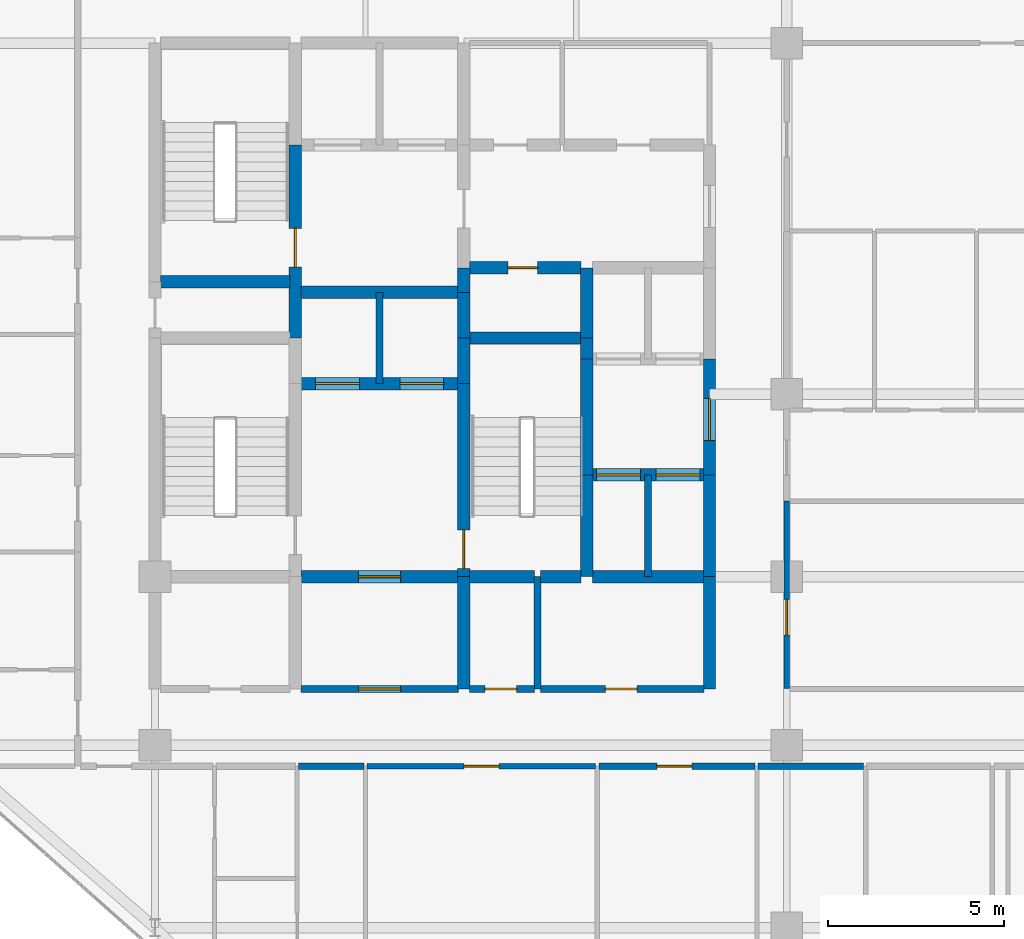
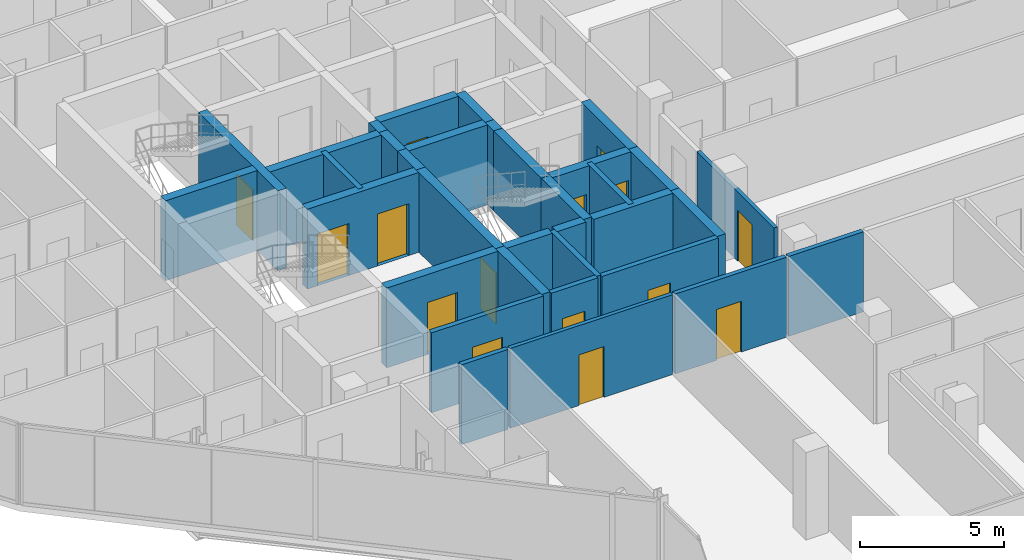
# One storey, part 26 of 31: 34 walls, 15 doors, 15 openings.
"""IFC4 building model written with IfcOpenShell, lengths in metres."""

from ifc_helpers import new_model, si_unit, direction, frame, frame_2d, origin, place, context, subcontext, project, spatial, rectangle, extrude, material, layer, layer_set, type_object, element, fill, save


model = new_model("IFC4")

# Units and contexts
model_context = context("Model", 3, precision=1e-05, world=origin(), true_north=direction((0.0, 1.0)))
body_context = subcontext(model_context, "Body", "Model", "MODEL_VIEW")
ifc_project = project(units=[si_unit("LENGTHUNIT", "METRE"), si_unit("AREAUNIT", "SQUARE_METRE"), si_unit("VOLUMEUNIT", "CUBIC_METRE"), si_unit("PLANEANGLEUNIT", "RADIAN"), si_unit("MASSUNIT", "GRAM", prefix="KILO")], contexts=[model_context])

# Site, building, storey
site_placement = place(None, origin())
site = spatial("IfcSite", under=ifc_project, at=site_placement, CompositionType="ELEMENT")
building_placement = place(site_placement, origin())
building = spatial("IfcBuilding", under=site, at=building_placement, Name="Keshet Zoharim Tower", CompositionType="ELEMENT")
storey_placement = place(building_placement, frame((0.0, 0.0, 129.800048828125)))
storey = spatial("IfcBuildingStorey", under=building, at=storey_placement, Name="L31", CompositionType="ELEMENT", Elevation=129.800048828125)

# Wall, opening, door
ifc_material_1 = material(Name="Gypsum Plasterboard", Category="gypsum")
ifc_layer_1 = layer(ifc_material_1, 0.14990234375)
ifc_layer_set_1 = layer_set([ifc_layer_1], Name="Gypsum Plasterboard")
wall_type_1 = type_object("IfcWallType", Name="WL-CLIN-150", PredefinedType="STANDARD", material=ifc_layer_set_1)
wall_1_placement = place(storey_placement, frame((33.0, 19.510009765625, 0.0), z_axis=(0.0, 0.0, 1.0), x_axis=(0.0, 1.0, 0.0)))
wall_1 = element("IfcWall", 1, at=wall_1_placement, inside=storey, type_object=wall_type_1, Name="L31 Interior Wall 067", PredefinedType="STANDARD", context=body_context, shape_type="SweptSolid", body=[
    extrude(rectangle(XDim=5.35009765625, YDim=0.14990234375, at=frame_2d((2.675048828125, 0.0))), origin(), (0.0, 0.0, 1.0), 2.93505859375),
])
opening_1_placement = place(wall_1_placement, frame((1.533935546875, 0.0, 0.0)))
opening_1 = element("IfcOpeningElement", 2, at=opening_1_placement, cuts=wall_1, Name="Opening D-F310", PredefinedType="OPENING", context=body_context, shape_type="SweptSolid", body=[
    extrude(rectangle(XDim=1.0, YDim=2.14990234375, at=frame_2d((0.5, 1.074951171875))), frame((0.0, 0.0849609375, 0.0), z_axis=(0.0, -1.0, 0.0), x_axis=(1.0, 0.0, 0.0)), (0.0, 0.0, 1.0), 0.169921875),
])
ifc_material_2 = material(Name="Hardwood Timber", Category="wood")
door_type_1 = type_object("IfcDoorType", Name="DR-FD30-100", OperationType="NOTDEFINED", PredefinedType="DOOR", material=ifc_material_2)
door_1_placement = place(opening_1_placement, origin())
door_1 = element("IfcDoor", 3, at=door_1_placement, inside=storey, type_object=door_type_1, Name="L31 South East Residents Services Suite Door 2", OperationType="SINGLE_SWING_LEFT", OverallHeight=2.14990234375, OverallWidth=1.0, PredefinedType="DOOR", context=body_context, shape_type="SweptSolid", body=[
    extrude(rectangle(XDim=1.0, YDim=2.14990234375, at=frame_2d((0.5, 1.074951171875))), frame((0.0, 0.02490234375, 0.0), z_axis=(0.0, -1.0, 0.0), x_axis=(1.0, 0.0, 0.0)), (0.0, 0.0, 1.0), 0.050048828125),
])
fill(opening_1, door_1)

wall_2_placement = place(storey_placement, frame((21.044921875, 17.300048828125, 0.0), z_axis=(0.0, 0.0, 1.0), x_axis=(1.0, 0.0, 0.0)))
wall_2 = element("IfcWall", 4, at=wall_2_placement, inside=storey, type_object=wall_type_1, Name="L31 Interior Wall 125", PredefinedType="STANDARD", context=body_context, shape_type="SweptSolid", body=[
    extrude(rectangle(XDim=6.510009765625, YDim=0.14990234375, at=frame_2d((3.2548828125, 0.0))), origin(), (0.0, 0.0, 1.0), 3.385009765625),
])
opening_2_placement = place(wall_2_placement, frame((2.7548828125, 0.0, 0.0)))
opening_2 = element("IfcOpeningElement", 5, at=opening_2_placement, cuts=wall_2, Name="Opening D-F310", PredefinedType="OPENING", context=body_context, shape_type="SweptSolid", body=[
    extrude(rectangle(XDim=1.0, YDim=2.14990234375, at=frame_2d((0.5, 1.074951171875))), frame((0.0, 0.0849609375, 0.0), z_axis=(0.0, -1.0, 0.0), x_axis=(1.0, 0.0, 0.0)), (0.0, 0.0, 1.0), 0.169921875),
])
door_2_placement = place(opening_2_placement, origin())
door_2 = element("IfcDoor", 6, at=door_2_placement, inside=storey, type_object=door_type_1, Name="L31 Floor Children Playroom Door", OperationType="SINGLE_SWING_RIGHT", OverallHeight=2.14990234375, OverallWidth=1.0, PredefinedType="DOOR", context=body_context, shape_type="SweptSolid", body=[
    extrude(rectangle(XDim=1.0, YDim=2.14990234375, at=frame_2d((0.5, 1.074951171875))), frame((0.0, 0.02490234375, 0.0), z_axis=(0.0, -1.0, 0.0), x_axis=(1.0, 0.0, 0.0)), (0.0, 0.0, 1.0), 0.050048828125),
])
fill(opening_2, door_2)

ifc_material_3 = material(Name="Concrete C60/75", Category="concrete")
ifc_layer_2 = layer(ifc_material_3, 0.35009765625)
ifc_layer_set_2 = layer_set([ifc_layer_2], Name="Concrete C60/75")
wall_type_2 = type_object("IfcWallType", Name="WL-CORE-350", PredefinedType="SHEAR", material=ifc_layer_set_2)
wall_3_placement = place(storey_placement, frame((19.0, 29.5, 0.0), z_axis=(0.0, 0.0, 1.0), x_axis=(0.0, 1.0, 0.0)))
wall_3 = element("IfcWall", 7, at=wall_3_placement, inside=storey, type_object=wall_type_2, Name="L31 Core Shear Wall 026", PredefinedType="SHEAR", context=body_context, shape_type="SweptSolid", body=[
    extrude(rectangle(XDim=5.5, YDim=0.35009765625, at=frame_2d((2.75, 0.0))), origin(), (0.0, 0.0, 1.0), 3.385009765625),
])
opening_3_placement = place(wall_3_placement, frame((2.02490234375, 0.0, 0.0)))
opening_3 = element("IfcOpeningElement", 8, at=opening_3_placement, cuts=wall_3, Name="Opening D-F611", PredefinedType="OPENING", context=body_context, shape_type="SweptSolid", body=[
    extrude(rectangle(XDim=1.10009765625, YDim=2.14990234375, at=frame_2d((0.550048828125, 1.074951171875))), frame((0.0, 0.18505859375, 0.0), z_axis=(0.0, -1.0, 0.0), x_axis=(1.0, 0.0, 0.0)), (0.0, 0.0, 1.0), 0.3701171875),
])
door_type_2 = type_object("IfcDoorType", Name="DR-FD60-110", OperationType="NOTDEFINED", PredefinedType="DOOR", material=ifc_material_2)
door_3_placement = place(opening_3_placement, origin())
door_3 = element("IfcDoor", 9, at=door_3_placement, inside=storey, type_object=door_type_2, Name="L31 Exit Stair ST-02 Fire Door", OperationType="SINGLE_SWING_LEFT", OverallHeight=2.14990234375, OverallWidth=1.10009765625, PredefinedType="DOOR", context=body_context, shape_type="SweptSolid", body=[
    extrude(rectangle(XDim=1.10009765625, YDim=2.14990234375, at=frame_2d((0.550048828125, 1.074951171875))), frame((0.0, 0.02490234375, 0.0), z_axis=(0.0, -1.0, 0.0), x_axis=(1.0, 0.0, 0.0)), (0.0, 0.0, 1.0), 0.050048828125),
])
fill(opening_3, door_3)

# Wall
wall_4_placement = place(storey_placement, frame((23.800048828125, 19.5, 0.0), z_axis=(0.0, 0.0, 1.0), x_axis=(0.0, 1.0, 0.0)))
element("IfcWall", 10, at=wall_4_placement, inside=storey, type_object=wall_type_2, Name="L31 Core Shear Wall 037", PredefinedType="SHEAR", context=body_context, shape_type="SweptSolid", body=[
    extrude(rectangle(XDim=3.199951171875, YDim=0.35009765625, at=frame_2d((1.60009765625, 0.0))), origin(), (0.0, 0.0, 1.0), 3.385009765625),
])

# Wall, opening, door
wall_5_placement = place(storey_placement, frame((23.800048828125, 22.699951171875, 0.0), z_axis=(0.0, 0.0, 1.0), x_axis=(0.0, 1.0, 0.0)))
wall_5 = element("IfcWall", 11, at=wall_5_placement, inside=storey, type_object=wall_type_2, Name="L31 Core Shear Wall 038", PredefinedType="SHEAR", context=body_context, shape_type="SweptSolid", body=[
    extrude(rectangle(XDim=5.5, YDim=0.35009765625, at=frame_2d((2.75, 0.0))), origin(), (0.0, 0.0, 1.0), 3.385009765625),
])
opening_4_placement = place(wall_5_placement, frame((0.235107421875, 0.0, 0.0)))
opening_4 = element("IfcOpeningElement", 12, at=opening_4_placement, cuts=wall_5, Name="Opening D-F611", PredefinedType="OPENING", context=body_context, shape_type="SweptSolid", body=[
    extrude(rectangle(XDim=1.10009765625, YDim=2.14990234375, at=frame_2d((0.550048828125, 1.074951171875))), frame((0.0, 0.18505859375, 0.0), z_axis=(0.0, -1.0, 0.0), x_axis=(1.0, 0.0, 0.0)), (0.0, 0.0, 1.0), 0.3701171875),
])
door_4_placement = place(opening_4_placement, frame((1.10009765625, 0.0, 0.0), z_axis=(0.0, 0.0, 1.0), x_axis=(-1.0, 0.0, 0.0)))
door_4 = element("IfcDoor", 13, at=door_4_placement, inside=storey, type_object=door_type_2, Name="L31 Exit Stair ST-03 Fire Door", OperationType="SINGLE_SWING_LEFT", OverallHeight=2.14990234375, OverallWidth=1.10009765625, PredefinedType="DOOR", context=body_context, shape_type="SweptSolid", body=[
    extrude(rectangle(XDim=1.10009765625, YDim=2.14990234375, at=frame_2d((0.550048828125, 1.074951171875))), frame((0.0, 0.02490234375, 0.0), z_axis=(0.0, -1.0, 0.0), x_axis=(1.0, 0.0, 0.0)), (0.0, 0.0, 1.0), 0.050048828125),
])
fill(opening_4, door_4)

# Walls
for number, where, z_axis, x_axis, name in (
    (14, (23.800048828125, 28.199951171875, 0.0), (0.0, 0.0, 1.0), (0.0, 1.0, 0.0), "L31 Core Shear Wall 039"),
    (15, (23.800048828125, 29.5, 0.0), (0.0, 0.0, 1.0), (0.0, 1.0, 0.0), "L31 Core Shear Wall 040"),
):
    element("IfcWall", number, at=place(storey_placement, frame(where, z_axis=z_axis, x_axis=x_axis)), inside=storey, type_object=wall_type_2, Name=name, PredefinedType="SHEAR", context=body_context, shape_type="SweptSolid", body=[
        extrude(rectangle(XDim=1.300048828125, YDim=0.35009765625, at=frame_2d((0.64990234375, 0.0))), origin(), (0.0, 0.0, 1.0), 3.385009765625),
    ])
wall_6_placement = place(storey_placement, frame((23.800048828125, 30.800048828125, 0.0), z_axis=(0.0, 0.0, 1.0), x_axis=(0.0, 1.0, 0.0)))
element("IfcWall", 16, at=wall_6_placement, inside=storey, type_object=wall_type_2, Name="L31 Core Shear Wall 041", PredefinedType="SHEAR", context=body_context, shape_type="SweptSolid", body=[
    extrude(rectangle(XDim=0.699951171875, YDim=0.35009765625, at=frame_2d((0.35009765625, 0.0))), origin(), (0.0, 0.0, 1.0), 3.385009765625),
])
wall_7_placement = place(storey_placement, frame((27.300048828125, 22.699951171875, 0.0), z_axis=(0.0, 0.0, 1.0), x_axis=(0.0, 1.0, 0.0)))
element("IfcWall", 17, at=wall_7_placement, inside=storey, type_object=wall_type_2, Name="L31 Core Shear Wall 048", PredefinedType="SHEAR", context=body_context, shape_type="SweptSolid", body=[
    extrude(rectangle(XDim=2.900146484375, YDim=0.35009765625, at=frame_2d((1.4501953125, 0.0))), origin(), (0.0, 0.0, 1.0), 3.385009765625),
])
wall_8_placement = place(storey_placement, frame((27.300048828125, 25.60009765625, 0.0), z_axis=(0.0, 0.0, 1.0), x_axis=(0.0, 1.0, 0.0)))
element("IfcWall", 18, at=wall_8_placement, inside=storey, type_object=wall_type_2, Name="L31 Core Shear Wall 049", PredefinedType="SHEAR", context=body_context, shape_type="SweptSolid", body=[
    extrude(rectangle(XDim=3.2998046875, YDim=0.35009765625, at=frame_2d((1.64990234375, 0.0))), origin(), (0.0, 0.0, 1.0), 3.385009765625),
])
wall_9_placement = place(storey_placement, frame((27.300048828125, 28.89990234375, 0.0), z_axis=(0.0, 0.0, 1.0), x_axis=(0.0, 1.0, 0.0)))
element("IfcWall", 19, at=wall_9_placement, inside=storey, type_object=wall_type_2, Name="L31 Core Shear Wall 050", PredefinedType="SHEAR", context=body_context, shape_type="SweptSolid", body=[
    extrude(rectangle(XDim=0.60009765625, YDim=0.35009765625, at=frame_2d((0.300048828125, 0.0))), origin(), (0.0, 0.0, 1.0), 3.385009765625),
])
wall_10_placement = place(storey_placement, frame((27.300048828125, 29.5, 0.0), z_axis=(0.0, 0.0, 1.0), x_axis=(0.0, 1.0, 0.0)))
element("IfcWall", 20, at=wall_10_placement, inside=storey, type_object=wall_type_2, Name="L31 Core Shear Wall 051", PredefinedType="SHEAR", context=body_context, shape_type="SweptSolid", body=[
    extrude(rectangle(XDim=2.0, YDim=0.35009765625, at=frame_2d((1.0, 0.0))), origin(), (0.0, 0.0, 1.0), 3.385009765625),
])
wall_11_placement = place(storey_placement, frame((30.800048828125, 19.5, 0.0), z_axis=(0.0, 0.0, 1.0), x_axis=(0.0, 1.0, 0.0)))
element("IfcWall", 21, at=wall_11_placement, inside=storey, type_object=wall_type_2, Name="L31 Core Shear Wall 058", PredefinedType="SHEAR", context=body_context, shape_type="SweptSolid", body=[
    extrude(rectangle(XDim=3.199951171875, YDim=0.35009765625, at=frame_2d((1.60009765625, 0.0))), origin(), (0.0, 0.0, 1.0), 3.385009765625),
])
wall_12_placement = place(storey_placement, frame((30.800048828125, 22.699951171875, 0.0), z_axis=(0.0, 0.0, 1.0), x_axis=(0.0, 1.0, 0.0)))
element("IfcWall", 22, at=wall_12_placement, inside=storey, type_object=wall_type_2, Name="L31 Core Shear Wall 059", PredefinedType="SHEAR", context=body_context, shape_type="SweptSolid", body=[
    extrude(rectangle(XDim=2.900146484375, YDim=0.35009765625, at=frame_2d((1.4501953125, 0.0))), origin(), (0.0, 0.0, 1.0), 3.385009765625),
])

# Wall, opening, door
wall_13_placement = place(storey_placement, frame((30.800048828125, 25.60009765625, 0.0), z_axis=(0.0, 0.0, 1.0), x_axis=(0.0, 1.0, 0.0)))
wall_13 = element("IfcWall", 23, at=wall_13_placement, inside=storey, type_object=wall_type_2, Name="L31 Core Shear Wall 060", PredefinedType="SHEAR", context=body_context, shape_type="SweptSolid", body=[
    extrude(rectangle(XDim=3.2998046875, YDim=0.35009765625, at=frame_2d((1.64990234375, 0.0))), origin(), (0.0, 0.0, 1.0), 3.385009765625),
])
opening_5_placement = place(wall_13_placement, frame((0.97802734375, 0.0, 0.0)))
opening_5 = element("IfcOpeningElement", 24, at=opening_5_placement, cuts=wall_13, Name="Opening D-F612", PredefinedType="OPENING", context=body_context, shape_type="SweptSolid", body=[
    extrude(rectangle(XDim=1.199951171875, YDim=2.199951171875, at=frame_2d((0.60009765625, 1.10009765625))), frame((0.0, 0.18505859375, 0.0), z_axis=(0.0, -1.0, 0.0), x_axis=(1.0, 0.0, 0.0)), (0.0, 0.0, 1.0), 0.3701171875),
])
door_type_3 = type_object("IfcDoorType", Name="DR-FD60-120", OperationType="NOTDEFINED", PredefinedType="DOOR", material=ifc_material_2)
door_5_placement = place(opening_5_placement, origin())
door_5 = element("IfcDoor", 25, at=door_5_placement, inside=storey, type_object=door_type_3, Name="L31 East Lift Lobby Fire Door", OperationType="SINGLE_SWING_LEFT", OverallHeight=2.199951171875, OverallWidth=1.199951171875, PredefinedType="DOOR", context=body_context, shape_type="SweptSolid", body=[
    extrude(rectangle(XDim=1.199951171875, YDim=2.199951171875, at=frame_2d((0.60009765625, 1.10009765625))), frame((0.0, 0.02490234375, 0.0), z_axis=(0.0, -1.0, 0.0), x_axis=(1.0, 0.0, 0.0)), (0.0, 0.0, 1.0), 0.050048828125),
])
fill(opening_5, door_5)

wall_14_placement = place(storey_placement, frame((19.159912109375, 22.699951171875, 0.0), z_axis=(0.0, 0.0, 1.0), x_axis=(1.0, 0.0, 0.0)))
wall_14 = element("IfcWall", 26, at=wall_14_placement, inside=storey, type_object=wall_type_2, Name="L31 Core Shear Wall 143", PredefinedType="SHEAR", context=body_context, shape_type="SweptSolid", body=[
    extrude(rectangle(XDim=4.47998046875, YDim=0.35009765625, at=frame_2d((2.239990234375, 0.0))), origin(), (0.0, 0.0, 1.0), 3.385009765625),
])
opening_6_placement = place(wall_14_placement, frame((1.639892578125, 0.0, 0.0)))
opening_6 = element("IfcOpeningElement", 27, at=opening_6_placement, cuts=wall_14, Name="Opening D-F612", PredefinedType="OPENING", context=body_context, shape_type="SweptSolid", body=[
    extrude(rectangle(XDim=1.199951171875, YDim=2.199951171875, at=frame_2d((0.60009765625, 1.10009765625))), frame((0.0, 0.18505859375, 0.0), z_axis=(0.0, -1.0, 0.0), x_axis=(1.0, 0.0, 0.0)), (0.0, 0.0, 1.0), 0.3701171875),
])
door_6_placement = place(opening_6_placement, origin())
door_6 = element("IfcDoor", 28, at=door_6_placement, inside=storey, type_object=door_type_3, Name="L31 South Core Lobby Fire Door", OperationType="SINGLE_SWING_RIGHT", OverallHeight=2.199951171875, OverallWidth=1.199951171875, PredefinedType="DOOR", context=body_context, shape_type="SweptSolid", body=[
    extrude(rectangle(XDim=1.199951171875, YDim=2.199951171875, at=frame_2d((0.60009765625, 1.10009765625))), frame((0.0, 0.02490234375, 0.0), z_axis=(0.0, -1.0, 0.0), x_axis=(1.0, 0.0, 0.0)), (0.0, 0.0, 1.0), 0.050048828125),
])
fill(opening_6, door_6)

# Walls
wall_15_placement = place(storey_placement, frame((23.9599609375, 22.699951171875, 0.0), z_axis=(0.0, 0.0, 1.0), x_axis=(1.0, 0.0, 0.0)))
element("IfcWall", 29, at=wall_15_placement, inside=storey, type_object=wall_type_2, Name="L31 Core Shear Wall 144", PredefinedType="SHEAR", context=body_context, shape_type="SweptSolid", body=[
    extrude(rectangle(XDim=1.85498046875, YDim=0.35009765625, at=frame_2d((0.927490234375, 0.0))), origin(), (0.0, 0.0, 1.0), 3.385009765625),
])
wall_16_placement = place(storey_placement, frame((25.985107421875, 22.699951171875, 0.0), z_axis=(0.0, 0.0, 1.0), x_axis=(1.0, 0.0, 0.0)))
element("IfcWall", 30, at=wall_16_placement, inside=storey, type_object=wall_type_2, Name="L31 Core Shear Wall 145", PredefinedType="SHEAR", context=body_context, shape_type="SweptSolid", body=[
    extrude(rectangle(XDim=1.15478515625, YDim=0.35009765625, at=frame_2d((0.577392578125, 0.0))), origin(), (0.0, 0.0, 1.0), 3.385009765625),
])
wall_17_placement = place(storey_placement, frame((27.4599609375, 22.699951171875, 0.0), z_axis=(0.0, 0.0, 1.0), x_axis=(1.0, 0.0, 0.0)))
element("IfcWall", 31, at=wall_17_placement, inside=storey, type_object=wall_type_2, Name="L31 Core Shear Wall 146", PredefinedType="SHEAR", context=body_context, shape_type="SweptSolid", body=[
    extrude(rectangle(XDim=3.179931640625, YDim=0.35009765625, at=frame_2d((1.58984375, 0.0))), origin(), (0.0, 0.0, 1.0), 3.385009765625),
])

# Wall, openings, doors
wall_18_placement = place(storey_placement, frame((27.4599609375, 25.60009765625, 0.0), z_axis=(0.0, 0.0, 1.0), x_axis=(1.0, 0.0, 0.0)))
wall_18 = element("IfcWall", 32, at=wall_18_placement, inside=storey, type_object=wall_type_2, Name="L31 Core Shear Wall 151", PredefinedType="SHEAR", context=body_context, shape_type="SweptSolid", body=[
    extrude(rectangle(XDim=3.179931640625, YDim=0.35009765625, at=frame_2d((1.58984375, 0.0))), origin(), (0.0, 0.0, 1.0), 3.385009765625),
])
opening_7_placement = place(wall_18_placement, frame((0.1201171875, 0.0, 0.0)))
opening_7 = element("IfcOpeningElement", 33, at=opening_7_placement, cuts=wall_18, Name="Opening LD-01", PredefinedType="OPENING", context=body_context, shape_type="SweptSolid", body=[
    extrude(rectangle(XDim=1.25, YDim=2.199951171875, at=frame_2d((0.625, 1.10009765625))), frame((0.0, 0.18505859375, 0.0), z_axis=(0.0, -1.0, 0.0), x_axis=(1.0, 0.0, 0.0)), (0.0, 0.0, 1.0), 0.3701171875),
])
opening_8_placement = place(wall_18_placement, frame((1.81005859375, 0.0, 0.0)))
opening_8 = element("IfcOpeningElement", 34, at=opening_8_placement, cuts=wall_18, Name="Opening LD-01", PredefinedType="OPENING", context=body_context, shape_type="SweptSolid", body=[
    extrude(rectangle(XDim=1.25, YDim=2.199951171875, at=frame_2d((0.625, 1.10009765625))), frame((0.0, 0.18505859375, 0.0), z_axis=(0.0, -1.0, 0.0), x_axis=(1.0, 0.0, 0.0)), (0.0, 0.0, 1.0), 0.3701171875),
])
ifc_material_4 = material(Name="Steel S355", Category="steel")
door_type_4 = type_object("IfcDoorType", Name="DR-LD01-125", OperationType="DOUBLE_DOOR_SLIDING", PredefinedType="DOOR", material=ifc_material_4)
door_7_placement = place(opening_7_placement, origin())
door_7 = element("IfcDoor", 35, at=door_7_placement, inside=storey, type_object=door_type_4, Name="L31 Passenger Lift Landing Door LF-07", OperationType="DOUBLE_DOOR_SLIDING", OverallHeight=2.199951171875, OverallWidth=1.25, PredefinedType="DOOR", context=body_context, shape_type="SweptSolid", body=[
    extrude(rectangle(XDim=1.25, YDim=2.199951171875, at=frame_2d((0.625, 1.10009765625))), frame((0.0, 0.02490234375, 0.0), z_axis=(0.0, -1.0, 0.0), x_axis=(1.0, 0.0, 0.0)), (0.0, 0.0, 1.0), 0.050048828125),
])
fill(opening_7, door_7)
door_8_placement = place(opening_8_placement, origin())
door_8 = element("IfcDoor", 36, at=door_8_placement, inside=storey, type_object=door_type_4, Name="L31 Passenger Lift Landing Door LF-08", OperationType="DOUBLE_DOOR_SLIDING", OverallHeight=2.199951171875, OverallWidth=1.25, PredefinedType="DOOR", context=body_context, shape_type="SweptSolid", body=[
    extrude(rectangle(XDim=1.25, YDim=2.199951171875, at=frame_2d((0.625, 1.10009765625))), frame((0.0, 0.02490234375, 0.0), z_axis=(0.0, -1.0, 0.0), x_axis=(1.0, 0.0, 0.0)), (0.0, 0.0, 1.0), 0.050048828125),
])
fill(opening_8, door_8)

wall_19_placement = place(storey_placement, frame((19.159912109375, 28.199951171875, 0.0), z_axis=(0.0, 0.0, 1.0), x_axis=(1.0, 0.0, 0.0)))
wall_19 = element("IfcWall", 37, at=wall_19_placement, inside=storey, type_object=wall_type_2, Name="L31 Core Shear Wall 158", PredefinedType="SHEAR", context=body_context, shape_type="SweptSolid", body=[
    extrude(rectangle(XDim=4.47998046875, YDim=0.35009765625, at=frame_2d((2.239990234375, 0.0))), origin(), (0.0, 0.0, 1.0), 3.385009765625),
])
opening_9_placement = place(wall_19_placement, frame((0.4150390625, 0.0, 0.0)))
opening_9 = element("IfcOpeningElement", 38, at=opening_9_placement, cuts=wall_19, Name="Opening LD-01", PredefinedType="OPENING", context=body_context, shape_type="SweptSolid", body=[
    extrude(rectangle(XDim=1.25, YDim=2.199951171875, at=frame_2d((0.625, 1.10009765625))), frame((0.0, 0.18505859375, 0.0), z_axis=(0.0, -1.0, 0.0), x_axis=(1.0, 0.0, 0.0)), (0.0, 0.0, 1.0), 0.3701171875),
])
opening_10_placement = place(wall_19_placement, frame((2.81494140625, 0.0, 0.0)))
opening_10 = element("IfcOpeningElement", 39, at=opening_10_placement, cuts=wall_19, Name="Opening LD-01", PredefinedType="OPENING", context=body_context, shape_type="SweptSolid", body=[
    extrude(rectangle(XDim=1.25, YDim=2.199951171875, at=frame_2d((0.625, 1.10009765625))), frame((0.0, 0.18505859375, 0.0), z_axis=(0.0, -1.0, 0.0), x_axis=(1.0, 0.0, 0.0)), (0.0, 0.0, 1.0), 0.3701171875),
])
door_9_placement = place(opening_9_placement, origin())
door_9 = element("IfcDoor", 40, at=door_9_placement, inside=storey, type_object=door_type_4, Name="L31 Passenger Lift Landing Door LF-09", OperationType="DOUBLE_DOOR_SLIDING", OverallHeight=2.199951171875, OverallWidth=1.25, PredefinedType="DOOR", context=body_context, shape_type="SweptSolid", body=[
    extrude(rectangle(XDim=1.25, YDim=2.199951171875, at=frame_2d((0.625, 1.10009765625))), frame((0.0, 0.02490234375, 0.0), z_axis=(0.0, -1.0, 0.0), x_axis=(1.0, 0.0, 0.0)), (0.0, 0.0, 1.0), 0.050048828125),
])
fill(opening_9, door_9)
door_10_placement = place(opening_10_placement, origin())
door_10 = element("IfcDoor", 41, at=door_10_placement, inside=storey, type_object=door_type_4, Name="L31 Passenger Lift Landing Door LF-10", OperationType="DOUBLE_DOOR_SLIDING", OverallHeight=2.199951171875, OverallWidth=1.25, PredefinedType="DOOR", context=body_context, shape_type="SweptSolid", body=[
    extrude(rectangle(XDim=1.25, YDim=2.199951171875, at=frame_2d((0.625, 1.10009765625))), frame((0.0, 0.02490234375, 0.0), z_axis=(0.0, -1.0, 0.0), x_axis=(1.0, 0.0, 0.0)), (0.0, 0.0, 1.0), 0.050048828125),
])
fill(opening_10, door_10)

# Walls
wall_20_placement = place(storey_placement, frame((23.9599609375, 29.5, 0.0), z_axis=(0.0, 0.0, 1.0), x_axis=(1.0, 0.0, 0.0)))
element("IfcWall", 42, at=wall_20_placement, inside=storey, type_object=wall_type_2, Name="L31 Core Shear Wall 161", PredefinedType="SHEAR", context=body_context, shape_type="SweptSolid", body=[
    extrude(rectangle(XDim=3.179931640625, YDim=0.35009765625, at=frame_2d((1.58984375, 0.0))), origin(), (0.0, 0.0, 1.0), 3.385009765625),
])
wall_21_placement = place(storey_placement, frame((19.159912109375, 30.800048828125, 0.0), z_axis=(0.0, 0.0, 1.0), x_axis=(1.0, 0.0, 0.0)))
element("IfcWall", 43, at=wall_21_placement, inside=storey, type_object=wall_type_2, Name="L31 Core Shear Wall 165", PredefinedType="SHEAR", context=body_context, shape_type="SweptSolid", body=[
    extrude(rectangle(XDim=4.47998046875, YDim=0.35009765625, at=frame_2d((2.239990234375, 0.0))), origin(), (0.0, 0.0, 1.0), 3.385009765625),
])
wall_22_placement = place(storey_placement, frame((15.159912109375, 31.10009765625, 0.0), z_axis=(0.0, 0.0, 1.0), x_axis=(1.0, 0.0, 0.0)))
element("IfcWall", 44, at=wall_22_placement, inside=storey, type_object=wall_type_2, Name="L31 Core Shear Wall 166", PredefinedType="SHEAR", context=body_context, shape_type="SweptSolid", body=[
    extrude(rectangle(XDim=3.68017578125, YDim=0.35009765625, at=frame_2d((1.840087890625, 0.0))), origin(), (0.0, 0.0, 1.0), 3.385009765625),
])

# Wall, opening, door
wall_23_placement = place(storey_placement, frame((23.9599609375, 31.5, 0.0), z_axis=(0.0, 0.0, 1.0), x_axis=(1.0, 0.0, 0.0)))
wall_23 = element("IfcWall", 45, at=wall_23_placement, inside=storey, type_object=wall_type_2, Name="L31 Core Shear Wall 167", PredefinedType="SHEAR", context=body_context, shape_type="SweptSolid", body=[
    extrude(rectangle(XDim=3.179931640625, YDim=0.35009765625, at=frame_2d((1.58984375, 0.0))), origin(), (0.0, 0.0, 1.0), 3.385009765625),
])
opening_11_placement = place(wall_23_placement, frame((1.093994140625, 0.0, 0.0)))
opening_11 = element("IfcOpeningElement", 46, at=opening_11_placement, cuts=wall_23, Name="Opening D-RS85", PredefinedType="OPENING", context=body_context, shape_type="SweptSolid", body=[
    extrude(rectangle(XDim=0.85009765625, YDim=2.10009765625, at=frame_2d((0.425048828125, 1.050048828125))), frame((0.0, 0.18505859375, 0.0), z_axis=(0.0, -1.0, 0.0), x_axis=(1.0, 0.0, 0.0)), (0.0, 0.0, 1.0), 0.3701171875),
])
door_type_5 = type_object("IfcDoorType", Name="DR-RIS-085", OperationType="NOTDEFINED", PredefinedType="DOOR", material=ifc_material_2)
door_11_placement = place(opening_11_placement, origin())
door_11 = element("IfcDoor", 47, at=door_11_placement, inside=storey, type_object=door_type_5, Name="L31 Telecom Riser Access Cupboard Door", OperationType="SINGLE_SWING_LEFT", OverallHeight=2.10009765625, OverallWidth=0.85009765625, PredefinedType="DOOR", context=body_context, shape_type="SweptSolid", body=[
    extrude(rectangle(XDim=0.85009765625, YDim=2.10009765625, at=frame_2d((0.425048828125, 1.050048828125))), frame((0.0, 0.02490234375, 0.0), z_axis=(0.0, -1.0, 0.0), x_axis=(1.0, 0.0, 0.0)), (0.0, 0.0, 1.0), 0.050048828125),
])
fill(opening_11, door_11)

# Wall
ifc_layer_3 = layer(ifc_material_1, 0.179931640625)
ifc_layer_set_3 = layer_set([ifc_layer_3], Name="Gypsum Plasterboard")
wall_type_3 = type_object("IfcWallType", Name="WL-CORR-180", PredefinedType="STANDARD", material=ifc_layer_set_3)
wall_24_placement = place(storey_placement, frame((19.094970703125, 17.300048828125, 0.0), z_axis=(0.0, 0.0, 1.0), x_axis=(1.0, 0.0, 0.0)))
element("IfcWall", 48, at=wall_24_placement, inside=storey, type_object=wall_type_3, Name="L31 Interior Wall 124", PredefinedType="STANDARD", context=body_context, shape_type="SweptSolid", body=[
    extrude(rectangle(XDim=1.860107421875, YDim=0.179931640625, at=frame_2d((0.93017578125, 0.0))), origin(), (0.0, 0.0, 1.0), 3.385009765625),
])

# Wall, opening, door
wall_25_placement = place(storey_placement, frame((27.64501953125, 17.300048828125, 0.0), z_axis=(0.0, 0.0, 1.0), x_axis=(1.0, 0.0, 0.0)))
wall_25 = element("IfcWall", 49, at=wall_25_placement, inside=storey, type_object=wall_type_3, Name="L31 Interior Wall 126", PredefinedType="STANDARD", context=body_context, shape_type="SweptSolid", body=[
    extrude(rectangle(XDim=4.449951171875, YDim=0.179931640625, at=frame_2d((2.22509765625, 0.0))), origin(), (0.0, 0.0, 1.0), 3.385009765625),
])
opening_12_placement = place(wall_25_placement, frame((1.653076171875, 0.0, 0.0)))
opening_12 = element("IfcOpeningElement", 50, at=opening_12_placement, cuts=wall_25, Name="Opening D-F310", PredefinedType="OPENING", context=body_context, shape_type="SweptSolid", body=[
    extrude(rectangle(XDim=1.0, YDim=2.14990234375, at=frame_2d((0.5, 1.074951171875))), frame((0.0, 0.10009765625, 0.0), z_axis=(0.0, -1.0, 0.0), x_axis=(1.0, 0.0, 0.0)), (0.0, 0.0, 1.0), 0.199951171875),
])
door_12_placement = place(opening_12_placement, origin())
door_12 = element("IfcDoor", 51, at=door_12_placement, inside=storey, type_object=door_type_1, Name="Apartment 3102 Entrance Door", OperationType="SINGLE_SWING_LEFT", OverallHeight=2.14990234375, OverallWidth=1.0, PredefinedType="DOOR", context=body_context, shape_type="SweptSolid", body=[
    extrude(rectangle(XDim=1.0, YDim=2.14990234375, at=frame_2d((0.5, 1.074951171875))), frame((0.0, 0.02490234375, 0.0), z_axis=(0.0, -1.0, 0.0), x_axis=(1.0, 0.0, 0.0)), (0.0, 0.0, 1.0), 0.050048828125),
])
fill(opening_12, door_12)

# Walls
wall_26_placement = place(storey_placement, frame((32.18505859375, 17.300048828125, 0.0), z_axis=(0.0, 0.0, 1.0), x_axis=(1.0, 0.0, 0.0)))
element("IfcWall", 52, at=wall_26_placement, inside=storey, type_object=wall_type_3, Name="L31 Interior Wall 127", PredefinedType="STANDARD", context=body_context, shape_type="SweptSolid", body=[
    extrude(rectangle(XDim=2.996826171875, YDim=0.179931640625, at=frame_2d((1.49853515625, 0.0))), origin(), (0.0, 0.0, 1.0), 3.385009765625),
])
ifc_material_5 = material(Name="Concrete C50/60", Category="concrete")
ifc_layer_4 = layer(ifc_material_5, 0.199951171875)
ifc_layer_set_4 = layer_set([ifc_layer_4], Name="Concrete C50/60")
wall_type_4 = type_object("IfcWallType", Name="WL-FIRE-200", PredefinedType="STANDARD", material=ifc_layer_set_4)
wall_27_placement = place(storey_placement, frame((21.39990234375, 28.199951171875, 0.0), z_axis=(0.0, 0.0, 1.0), x_axis=(0.0, 1.0, 0.0)))
element("IfcWall", 53, at=wall_27_placement, inside=storey, type_object=wall_type_4, Name="L31 Interior Wall 034", PredefinedType="STANDARD", context=body_context, shape_type="SweptSolid", body=[
    extrude(rectangle(XDim=2.60009765625, YDim=0.199951171875, at=frame_2d((1.300048828125, 0.0))), origin(), (0.0, 0.0, 1.0), 3.385009765625),
])
wall_28_placement = place(storey_placement, frame((25.89990234375, 19.5, 0.0), z_axis=(0.0, 0.0, 1.0), x_axis=(0.0, 1.0, 0.0)))
element("IfcWall", 54, at=wall_28_placement, inside=storey, type_object=wall_type_4, Name="L31 Interior Wall 046", PredefinedType="STANDARD", context=body_context, shape_type="SweptSolid", body=[
    extrude(rectangle(XDim=3.199951171875, YDim=0.199951171875, at=frame_2d((1.60009765625, 0.0))), origin(), (0.0, 0.0, 1.0), 3.385009765625),
])
wall_29_placement = place(storey_placement, frame((29.050048828125, 22.699951171875, 0.0), z_axis=(0.0, 0.0, 1.0), x_axis=(0.0, 1.0, 0.0)))
element("IfcWall", 55, at=wall_29_placement, inside=storey, type_object=wall_type_4, Name="L31 Interior Wall 053", PredefinedType="STANDARD", context=body_context, shape_type="SweptSolid", body=[
    extrude(rectangle(XDim=2.900146484375, YDim=0.199951171875, at=frame_2d((1.4501953125, 0.0))), origin(), (0.0, 0.0, 1.0), 3.385009765625),
])

# Wall, opening, door
wall_30_placement = place(storey_placement, frame((19.159912109375, 19.5, 0.0), z_axis=(0.0, 0.0, 1.0), x_axis=(1.0, 0.0, 0.0)))
wall_30 = element("IfcWall", 56, at=wall_30_placement, inside=storey, type_object=wall_type_4, Name="L31 Interior Wall 135", PredefinedType="STANDARD", context=body_context, shape_type="SweptSolid", body=[
    extrude(rectangle(XDim=4.47998046875, YDim=0.199951171875, at=frame_2d((2.239990234375, 0.0))), origin(), (0.0, 0.0, 1.0), 3.385009765625),
])
opening_13_placement = place(wall_30_placement, frame((1.639892578125, 0.0, 0.0)))
opening_13 = element("IfcOpeningElement", 57, at=opening_13_placement, cuts=wall_30, Name="Opening D-F612", PredefinedType="OPENING", context=body_context, shape_type="SweptSolid", body=[
    extrude(rectangle(XDim=1.199951171875, YDim=2.199951171875, at=frame_2d((0.60009765625, 1.10009765625))), frame((0.0, 0.10986328125, 0.0), z_axis=(0.0, -1.0, 0.0), x_axis=(1.0, 0.0, 0.0)), (0.0, 0.0, 1.0), 0.219970703125),
])
door_13_placement = place(opening_13_placement, origin())
door_13 = element("IfcDoor", 58, at=door_13_placement, inside=storey, type_object=door_type_3, Name="L31 South Vestibule Corridor Door", OperationType="SINGLE_SWING_LEFT", OverallHeight=2.199951171875, OverallWidth=1.199951171875, PredefinedType="DOOR", context=body_context, shape_type="SweptSolid", body=[
    extrude(rectangle(XDim=1.199951171875, YDim=2.199951171875, at=frame_2d((0.60009765625, 1.10009765625))), frame((0.0, 0.02490234375, 0.0), z_axis=(0.0, -1.0, 0.0), x_axis=(1.0, 0.0, 0.0)), (0.0, 0.0, 1.0), 0.050048828125),
])
fill(opening_13, door_13)

wall_31_placement = place(storey_placement, frame((23.9599609375, 19.5, 0.0), z_axis=(0.0, 0.0, 1.0), x_axis=(1.0, 0.0, 0.0)))
wall_31 = element("IfcWall", 59, at=wall_31_placement, inside=storey, type_object=wall_type_4, Name="L31 Interior Wall 136", PredefinedType="STANDARD", context=body_context, shape_type="SweptSolid", body=[
    extrude(rectangle(XDim=1.85498046875, YDim=0.199951171875, at=frame_2d((0.927490234375, 0.0))), origin(), (0.0, 0.0, 1.0), 3.385009765625),
])
opening_14_placement = place(wall_31_placement, frame((0.43994140625, 0.0, 0.0)))
opening_14 = element("IfcOpeningElement", 60, at=opening_14_placement, cuts=wall_31, Name="Opening D-F690", PredefinedType="OPENING", context=body_context, shape_type="SweptSolid", body=[
    extrude(rectangle(XDim=0.89990234375, YDim=2.14990234375, at=frame_2d((0.449951171875, 1.074951171875))), frame((0.0, 0.10986328125, 0.0), z_axis=(0.0, -1.0, 0.0), x_axis=(1.0, 0.0, 0.0)), (0.0, 0.0, 1.0), 0.219970703125),
])
door_type_6 = type_object("IfcDoorType", Name="DR-FD60-090", OperationType="NOTDEFINED", PredefinedType="DOOR", material=ifc_material_2)
door_14_placement = place(opening_14_placement, origin())
door_14 = element("IfcDoor", 61, at=door_14_placement, inside=storey, type_object=door_type_6, Name="L31 Cleaners Store Door", OperationType="SINGLE_SWING_RIGHT", OverallHeight=2.14990234375, OverallWidth=0.89990234375, PredefinedType="DOOR", context=body_context, shape_type="SweptSolid", body=[
    extrude(rectangle(XDim=0.89990234375, YDim=2.14990234375, at=frame_2d((0.449951171875, 1.074951171875))), frame((0.0, 0.02490234375, 0.0), z_axis=(0.0, -1.0, 0.0), x_axis=(1.0, 0.0, 0.0)), (0.0, 0.0, 1.0), 0.050048828125),
])
fill(opening_14, door_14)

wall_32_placement = place(storey_placement, frame((25.985107421875, 19.5, 0.0), z_axis=(0.0, 0.0, 1.0), x_axis=(1.0, 0.0, 0.0)))
wall_32 = element("IfcWall", 62, at=wall_32_placement, inside=storey, type_object=wall_type_4, Name="L31 Interior Wall 137", PredefinedType="STANDARD", context=body_context, shape_type="SweptSolid", body=[
    extrude(rectangle(XDim=4.65478515625, YDim=0.199951171875, at=frame_2d((2.327392578125, 0.0))), origin(), (0.0, 0.0, 1.0), 3.385009765625),
])
opening_15_placement = place(wall_32_placement, frame((1.844970703125, 0.0, 0.0)))
opening_15 = element("IfcOpeningElement", 63, at=opening_15_placement, cuts=wall_32, Name="Opening D-F690", PredefinedType="OPENING", context=body_context, shape_type="SweptSolid", body=[
    extrude(rectangle(XDim=0.89990234375, YDim=2.14990234375, at=frame_2d((0.449951171875, 1.074951171875))), frame((0.0, 0.10986328125, 0.0), z_axis=(0.0, -1.0, 0.0), x_axis=(1.0, 0.0, 0.0)), (0.0, 0.0, 1.0), 0.219970703125),
])
door_15_placement = place(opening_15_placement, origin())
door_15 = element("IfcDoor", 64, at=door_15_placement, inside=storey, type_object=door_type_6, Name="L31 Meter Room Door", OperationType="SINGLE_SWING_LEFT", OverallHeight=2.14990234375, OverallWidth=0.89990234375, PredefinedType="DOOR", context=body_context, shape_type="SweptSolid", body=[
    extrude(rectangle(XDim=0.89990234375, YDim=2.14990234375, at=frame_2d((0.449951171875, 1.074951171875))), frame((0.0, 0.02490234375, 0.0), z_axis=(0.0, -1.0, 0.0), x_axis=(1.0, 0.0, 0.0)), (0.0, 0.0, 1.0), 0.050048828125),
])
fill(opening_15, door_15)

save(model, "model.ifc")
